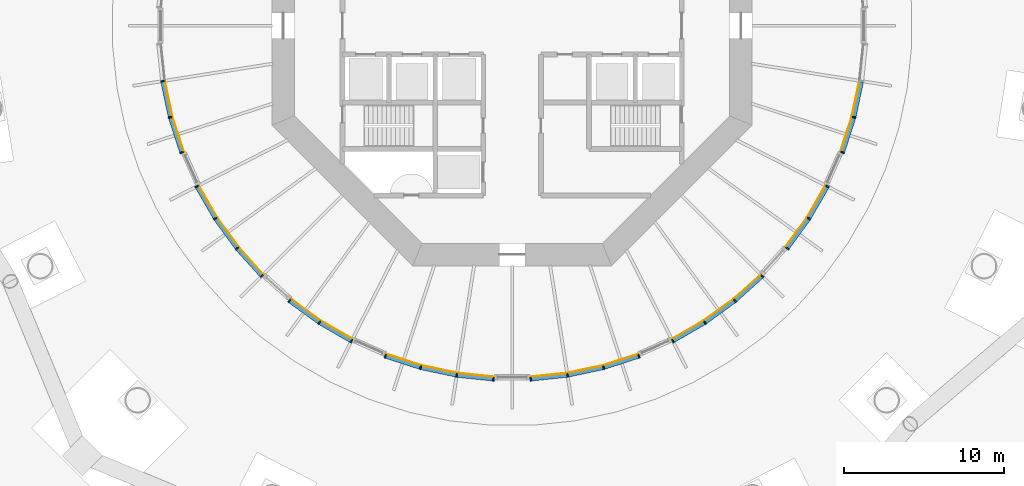
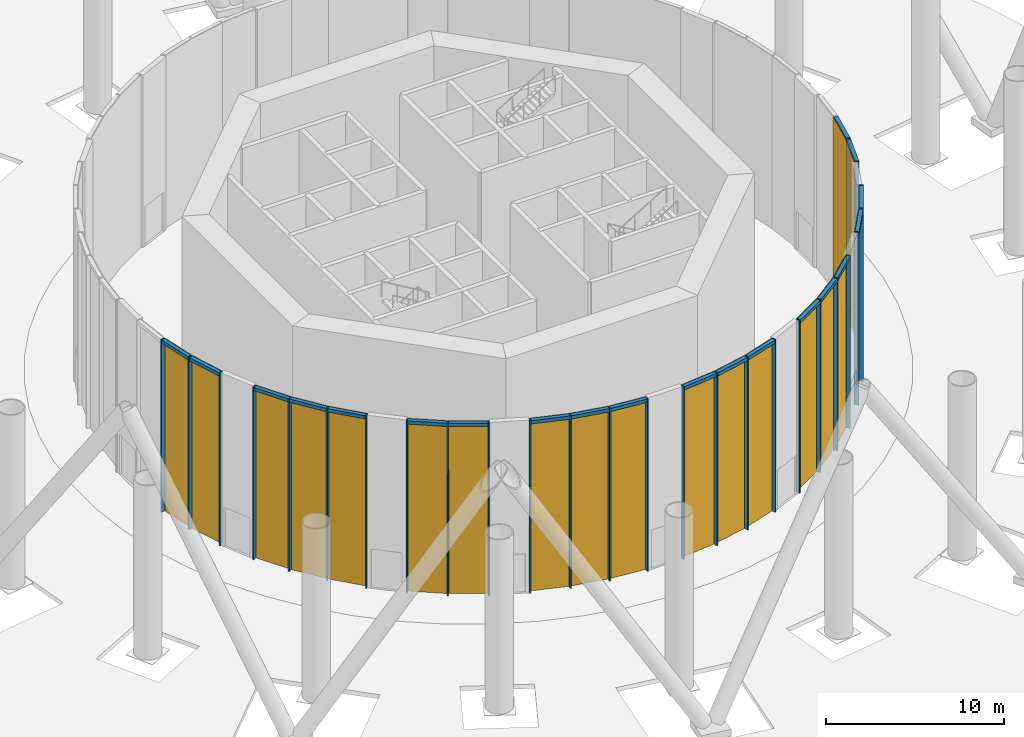
# One storey, part 8 of 12: 47 members, 10 curtain walls.
"""IFC4 building model written with IfcOpenShell, lengths in metres."""

import ifcopenshell
import ifcopenshell.guid

model = None  # the IFC model being written
_history = None  # IfcOwnerHistory: only IFC2X3 demands one
_inside = {}  # id of a spatial element -> (the spatial element, [elements in it])
_under = {}  # id of a project, library or spatial element -> (it, [spatial elements below it])
_declared = {}  # id of a project -> (the project, [libraries it declares])
_typed = {}  # id of a type object -> (the type object, [elements of that type])
_made_of = {}  # id of a material, layer set ... -> (it, [elements and type objects made of it])


def new_model(schema):
    """Start an empty IFC model of exactly this schema.

    Asked for "IFC4X3", IfcOpenShell would pick the latest addendum, in which some entities
    have other attributes; the version numbers below select the first issue.
    IFC2X3 requires an IfcOwnerHistory on every rooted entity: one is made here for all.
    """
    global model, _history
    if schema == "IFC4X3":
        model = ifcopenshell.file(schema_version=(4, 3, 0, 0))
    else:
        model = ifcopenshell.file(schema=schema)
    _inside.clear()
    _under.clear()
    _declared.clear()
    _typed.clear()
    _made_of.clear()
    _history = None
    if model.schema == "IFC2X3":
        org = make("IfcOrganization", Name="unknown")
        user = make(
            "IfcPersonAndOrganization",
            ThePerson=make("IfcPerson", FamilyName="unknown"),
            TheOrganization=org,
        )
        app = make(
            "IfcApplication",
            ApplicationDeveloper=org,
            Version="unknown",
            ApplicationFullName="unknown",
            ApplicationIdentifier="unknown",
        )
        _history = make(
            "IfcOwnerHistory",
            OwningUser=user,
            OwningApplication=app,
            ChangeAction="ADDED",
            CreationDate=0,
        )
    return model


def make(cls, **values):
    """One entity of the class cls with the attributes given. An attribute that is None is left unset."""
    return model.create_entity(
        cls, **{name: value for name, value in values.items() if value is not None}
    )


def rooted(cls, **values):
    """An entity with a GlobalId (a new one), such as an element, a storey or a relation."""
    return make(cls, GlobalId=ifcopenshell.guid.new(), OwnerHistory=_history, **values)


def si_unit(unit_type, name, prefix=None):
    """IfcSIUnit, for example si_unit("LENGTHUNIT", "METRE", prefix="MILLI")."""
    return make("IfcSIUnit", UnitType=unit_type, Prefix=prefix, Name=name)


def assignment(units):
    """IfcUnitAssignment: the units of a project."""
    return None if units is None else make("IfcUnitAssignment", Units=units)


def point(xyz):
    """IfcCartesianPoint."""
    return None if xyz is None else make("IfcCartesianPoint", Coordinates=xyz)


def direction(xyz):
    """IfcDirection."""
    return None if xyz is None else make("IfcDirection", DirectionRatios=xyz)


def frame(location, z_axis=None, x_axis=None):
    """IfcAxis2Placement3D, a coordinate frame: its origin and axes. An axis left out is left unset."""
    return make(
        "IfcAxis2Placement3D",
        Location=point(location),
        Axis=direction(z_axis),
        RefDirection=direction(x_axis),
    )


def frame_2d(location, x_axis=None):
    """IfcAxis2Placement2D, a coordinate frame in the plane: its origin and x axis."""
    return make(
        "IfcAxis2Placement2D", Location=point(location), RefDirection=direction(x_axis)
    )


def origin():
    """The frame at (0, 0, 0) with its axes left unset."""
    return frame((0.0, 0.0, 0.0))


def origin_2d():
    """The frame at (0, 0) in the plane with its x axis left unset."""
    return frame_2d((0.0, 0.0))


def place(relative_to, where):
    """IfcLocalPlacement: puts the frame where relative to a parent placement (None: the world)."""
    return make(
        "IfcLocalPlacement", PlacementRelTo=relative_to, RelativePlacement=where
    )


def context(
    kind, dimensions, precision=None, world=None, true_north=None, identifier=None
):
    """IfcGeometricRepresentationContext, for example the 3D "Model" context."""
    return make(
        "IfcGeometricRepresentationContext",
        ContextIdentifier=identifier,
        ContextType=kind,
        CoordinateSpaceDimension=dimensions,
        Precision=precision,
        WorldCoordinateSystem=world,
        TrueNorth=true_north,
    )


def subcontext(parent, identifier, kind, view, scale=None):
    """IfcGeometricRepresentationSubContext, for example "Body" below "Model"."""
    return make(
        "IfcGeometricRepresentationSubContext",
        ContextIdentifier=identifier,
        ContextType=kind,
        ParentContext=parent,
        TargetScale=scale,
        TargetView=view,
    )


def project(units=None, contexts=None):
    """IfcProject with its units and contexts."""
    return rooted(
        "IfcProject",
        Name="project",
        RepresentationContexts=contexts,
        UnitsInContext=assignment(units),
    )


def spatial(cls, under=None, at=None, **own):
    """A site, building, storey or space (cls), placed at a placement, below another one or the project."""
    s = rooted(cls, ObjectPlacement=at, **own)
    if under is not None:
        _under.setdefault(under.id(), (under, []))[1].append(s)
    return s


def polyline(points):
    """IfcPolyline through the points."""
    return make("IfcPolyline", Points=[point(p) for p in points])


def profile(cls, at=None, kind="AREA", **sizes):
    """A parametric profile (cls). Its sizes go by their IFC names, for example OverallWidth=200.0."""
    return make(cls, ProfileType=kind, Position=at, **sizes)


def rectangle(**sizes):
    """IfcRectangleProfileDef."""
    return profile("IfcRectangleProfileDef", **sizes)


def outline(outer, holes=None, kind="AREA"):
    """IfcArbitraryClosedProfileDef: a profile drawn as a closed curve; with holes, ...WithVoids."""
    if holes is None:
        return make("IfcArbitraryClosedProfileDef", ProfileType=kind, OuterCurve=outer)
    return make(
        "IfcArbitraryProfileDefWithVoids",
        ProfileType=kind,
        OuterCurve=outer,
        InnerCurves=holes,
    )


def extrude(swept, where, along, depth):
    """IfcExtrudedAreaSolid: the profile swept, set in the frame where, extruded along a direction by depth."""
    return make(
        "IfcExtrudedAreaSolid",
        SweptArea=swept,
        Position=where,
        ExtrudedDirection=direction(along),
        Depth=depth,
    )


def shape(context_of_items, identifier, shape_type, items):
    """IfcShapeRepresentation: the items that make up one representation, for example the "Body"."""
    return make(
        "IfcShapeRepresentation",
        ContextOfItems=context_of_items,
        RepresentationIdentifier=identifier,
        RepresentationType=shape_type,
        Items=items,
    )


def material(Name=None, Category=None):
    """IfcMaterial."""
    return make("IfcMaterial", Name=Name, Category=Category)


def layer(
    of_material, thickness, ventilated=None, Name=None, Category=None, Priority=None
):
    """IfcMaterialLayer: one layer of a wall or slab, of a material (None: an air gap)."""
    return make(
        "IfcMaterialLayer",
        Material=of_material,
        LayerThickness=thickness,
        IsVentilated=ventilated,
        Name=Name,
        Category=Category,
        Priority=Priority,
    )


def layer_set(layers, Name=None):
    """IfcMaterialLayerSet."""
    return make("IfcMaterialLayerSet", MaterialLayers=layers, LayerSetName=Name)


def material_profile(
    of_material, cross_section, Name=None, Category=None, Priority=None
):
    """IfcMaterialProfile: a cross section and its material."""
    return make(
        "IfcMaterialProfile",
        Name=Name,
        Material=of_material,
        Profile=cross_section,
        Priority=Priority,
        Category=Category,
    )


def profile_set(profiles, Name=None, composite=None):
    """IfcMaterialProfileSet."""
    return make(
        "IfcMaterialProfileSet",
        Name=Name,
        MaterialProfiles=profiles,
        CompositeProfile=composite,
    )


def made_of(thing, what):
    """Note that an element or type object is made of a material, layer set ...; save() writes the relation."""
    if what is not None:
        _made_of.setdefault(what.id(), (what, []))[1].append(thing)
    return thing


def type_object(cls, material=None, **own):
    """A type object (cls), such as IfcWallType, which elements share."""
    return made_of(rooted(cls, **own), material)


def element(
    cls,
    number,
    at=None,
    inside=None,
    cuts=None,
    type_object=None,
    material=None,
    context=None,
    identifier="Body",
    shape_type=None,
    held_by="IfcProductDefinitionShape",
    body=None,
    shapes=None,
    **own,
):
    """One element of the class cls, such as IfcWall. Its Tag is "e" and its number.

    at: its placement. inside: the storey or other place that contains it. cuts: it is an
    opening in that element (IfcRelVoidsElement). A single representation is given by context,
    identifier, shape_type and body (its items); several are given by shapes. held_by: the class
    of the entity that holds the representations. save() writes the other relations.
    """
    e = rooted(cls, Tag="e%d" % number, ObjectPlacement=at, **own)
    if body is not None:
        shapes = [shape(context, identifier, shape_type, body)]
    if shapes is not None:
        e.Representation = make(held_by, Representations=shapes)
    if inside is not None:
        _inside.setdefault(inside.id(), (inside, []))[1].append(e)
    if cuts is not None:
        rooted(
            "IfcRelVoidsElement", RelatingBuildingElement=cuts, RelatedOpeningElement=e
        )
    if type_object is not None:
        _typed.setdefault(type_object.id(), (type_object, []))[1].append(e)
    return made_of(e, material)


def aggregate(whole, parts):
    """IfcRelAggregates: a whole, such as a stair, and the parts it consists of."""
    return rooted("IfcRelAggregates", RelatingObject=whole, RelatedObjects=parts)


def save(model, path):
    """Write the relations noted so far, then the file.

    IfcRelAggregates (storeys below a building ...), IfcRelContainedInSpatialStructure (elements
    in a storey), IfcRelDefinesByType, IfcRelAssociatesMaterial and IfcRelDeclares: one each for
    every whole, place, type object, material and project.
    """
    for whole, parts in _under.values():
        aggregate(whole, parts)
    for where, things in _inside.values():
        rooted(
            "IfcRelContainedInSpatialStructure",
            RelatedElements=things,
            RelatingStructure=where,
        )
    for kind, things in _typed.values():
        rooted("IfcRelDefinesByType", RelatedObjects=things, RelatingType=kind)
    for what, things in _made_of.values():
        rooted("IfcRelAssociatesMaterial", RelatedObjects=things, RelatingMaterial=what)
    for by, libraries in _declared.values():
        rooted("IfcRelDeclares", RelatingContext=by, RelatedDefinitions=libraries)
    model.write(path)


model = new_model("IFC4")

# Units and contexts
model_context = context("Model", 3, precision=1e-05, world=origin(), true_north=direction((0.0, 1.0)))
body_context = subcontext(model_context, "Body", "Model", "MODEL_VIEW")
ifc_project = project(units=[si_unit("LENGTHUNIT", "METRE"), si_unit("AREAUNIT", "SQUARE_METRE"), si_unit("VOLUMEUNIT", "CUBIC_METRE"), si_unit("PLANEANGLEUNIT", "RADIAN"), si_unit("MASSUNIT", "GRAM", prefix="KILO")], contexts=[model_context])

# Member
ifc_material_1 = material(Name="Anodised aluminium", Category="aluminium")
ifc_material_profile_1 = material_profile(ifc_material_1, rectangle(XDim=0.080078125, YDim=0.239990234375, at=origin_2d()), Name="Mullion 80 x 240 mm anodised aluminium")
ifc_profile_set_1 = profile_set([ifc_material_profile_1], Name="Anodised aluminium")
member_type_1 = type_object("IfcMemberType", Name="Mullion 80 x 240 mm anodised aluminium", PredefinedType="MULLION", material=ifc_profile_set_1)
site_placement = place(None, origin())
building_placement = place(site_placement, origin())
storey_placement = place(building_placement, origin())
member_1_placement = place(storey_placement, frame((68.15234375, 76.53955078125, 0.0), z_axis=(0.0, 0.0, 1.0), x_axis=(0.15643446504, -0.987688340595, 0.0)))
member_1 = element("IfcMember", 1, at=member_1_placement, type_object=member_type_1, Name="MULLION L00-30", PredefinedType="MULLION", context=body_context, shape_type="SweptSolid", body=[
    extrude(rectangle(XDim=0.080078125, YDim=0.239990234375, at=origin_2d()), origin(), (0.0, 0.0, 1.0), 11.85009765625),
])

member_2_placement = place(storey_placement, frame((68.6337890625, 74.27490234375, 0.0), z_axis=(0.0, 0.0, 1.0), x_axis=(0.258819045103, -0.965925826289, 0.0)))
member_2 = element("IfcMember", 2, at=member_2_placement, type_object=member_type_1, Name="MULLION L00-31", PredefinedType="MULLION", context=body_context, shape_type="SweptSolid", body=[
    extrude(rectangle(XDim=0.080078125, YDim=0.239990234375, at=origin_2d()), origin(), (0.0, 0.0, 1.0), 11.85009765625),
])

member_3_placement = place(storey_placement, frame((69.34912109375, 72.072998046875, 0.0), z_axis=(0.0, 0.0, 1.0), x_axis=(0.358367949545, -0.933580426497, 0.0)))
member_3 = element("IfcMember", 3, at=member_3_placement, type_object=member_type_1, Name="MULLION L00-32", PredefinedType="MULLION", context=body_context, shape_type="SweptSolid", body=[
    extrude(rectangle(XDim=0.080078125, YDim=0.239990234375, at=origin_2d()), origin(), (0.0, 0.0, 1.0), 11.85009765625),
])

member_4_placement = place(storey_placement, frame((70.291015625, 69.957763671875, 0.0), z_axis=(0.0, 0.0, 1.0), x_axis=(0.45399049974, -0.891006524188, 0.0)))
member_4 = element("IfcMember", 4, at=member_4_placement, type_object=member_type_1, Name="MULLION L00-33", PredefinedType="MULLION", context=body_context, shape_type="SweptSolid", body=[
    extrude(rectangle(XDim=0.080078125, YDim=0.239990234375, at=origin_2d()), origin(), (0.0, 0.0, 1.0), 11.85009765625),
])

member_5_placement = place(storey_placement, frame((71.448486328125, 67.95263671875, 0.0), z_axis=(0.0, 0.0, 1.0), x_axis=(0.544639035015, -0.838670567945, 0.0)))
member_5 = element("IfcMember", 5, at=member_5_placement, type_object=member_type_1, Name="MULLION L00-34", PredefinedType="MULLION", context=body_context, shape_type="SweptSolid", body=[
    extrude(rectangle(XDim=0.080078125, YDim=0.239990234375, at=origin_2d()), origin(), (0.0, 0.0, 1.0), 11.85009765625),
])

member_6_placement = place(storey_placement, frame((72.8095703125, 66.079345703125, 0.0), z_axis=(0.0, 0.0, 1.0), x_axis=(0.62932039105, -0.777145961457, 0.0)))
member_6 = element("IfcMember", 6, at=member_6_placement, type_object=member_type_1, Name="MULLION L00-35", PredefinedType="MULLION", context=body_context, shape_type="SweptSolid", body=[
    extrude(rectangle(XDim=0.080078125, YDim=0.239990234375, at=origin_2d()), origin(), (0.0, 0.0, 1.0), 11.85009765625),
])

member_7_placement = place(storey_placement, frame((74.35888671875, 64.35888671875, 0.0), z_axis=(0.0, 0.0, 1.0), x_axis=(0.707106781187, -0.707106781187, 0.0)))
member_7 = element("IfcMember", 7, at=member_7_placement, type_object=member_type_1, Name="MULLION L00-36", PredefinedType="MULLION", context=body_context, shape_type="SweptSolid", body=[
    extrude(rectangle(XDim=0.080078125, YDim=0.239990234375, at=origin_2d()), origin(), (0.0, 0.0, 1.0), 11.85009765625),
])

member_8_placement = place(storey_placement, frame((76.079345703125, 62.8095703125, 0.0), z_axis=(0.0, 0.0, 1.0), x_axis=(0.777145961457, -0.62932039105, 0.0)))
member_8 = element("IfcMember", 8, at=member_8_placement, type_object=member_type_1, Name="MULLION L00-37", PredefinedType="MULLION", context=body_context, shape_type="SweptSolid", body=[
    extrude(rectangle(XDim=0.080078125, YDim=0.239990234375, at=origin_2d()), origin(), (0.0, 0.0, 1.0), 11.85009765625),
])

member_9_placement = place(storey_placement, frame((77.95263671875, 61.448486328125, 0.0), z_axis=(0.0, 0.0, 1.0), x_axis=(0.838670567945, -0.544639035015, 0.0)))
member_9 = element("IfcMember", 9, at=member_9_placement, type_object=member_type_1, Name="MULLION L00-38", PredefinedType="MULLION", context=body_context, shape_type="SweptSolid", body=[
    extrude(rectangle(XDim=0.080078125, YDim=0.239990234375, at=origin_2d()), origin(), (0.0, 0.0, 1.0), 11.85009765625),
])

member_10_placement = place(storey_placement, frame((79.957763671875, 60.291015625, 0.0), z_axis=(0.0, 0.0, 1.0), x_axis=(0.891006524188, -0.45399049974, 0.0)))
member_10 = element("IfcMember", 10, at=member_10_placement, type_object=member_type_1, Name="MULLION L00-39", PredefinedType="MULLION", context=body_context, shape_type="SweptSolid", body=[
    extrude(rectangle(XDim=0.080078125, YDim=0.239990234375, at=origin_2d()), origin(), (0.0, 0.0, 1.0), 11.85009765625),
])

member_11_placement = place(storey_placement, frame((82.072998046875, 59.34912109375, 0.0), z_axis=(0.0, 0.0, 1.0), x_axis=(0.933580426497, -0.358367949545, 0.0)))
member_11 = element("IfcMember", 11, at=member_11_placement, type_object=member_type_1, Name="MULLION L00-40", PredefinedType="MULLION", context=body_context, shape_type="SweptSolid", body=[
    extrude(rectangle(XDim=0.080078125, YDim=0.239990234375, at=origin_2d()), origin(), (0.0, 0.0, 1.0), 11.85009765625),
])

member_12_placement = place(storey_placement, frame((84.27490234375, 58.6337890625, 0.0), z_axis=(0.0, 0.0, 1.0), x_axis=(0.965925826289, -0.258819045103, 0.0)))
member_12 = element("IfcMember", 12, at=member_12_placement, type_object=member_type_1, Name="MULLION L00-41", PredefinedType="MULLION", context=body_context, shape_type="SweptSolid", body=[
    extrude(rectangle(XDim=0.080078125, YDim=0.239990234375, at=origin_2d()), origin(), (0.0, 0.0, 1.0), 11.85009765625),
])

member_13_placement = place(storey_placement, frame((86.53955078125, 58.15234375, 0.0), z_axis=(0.0, 0.0, 1.0), x_axis=(0.987688340595, -0.15643446504, 0.0)))
member_13 = element("IfcMember", 13, at=member_13_placement, type_object=member_type_1, Name="MULLION L00-42", PredefinedType="MULLION", context=body_context, shape_type="SweptSolid", body=[
    extrude(rectangle(XDim=0.080078125, YDim=0.239990234375, at=origin_2d()), origin(), (0.0, 0.0, 1.0), 11.85009765625),
])

member_14_placement = place(storey_placement, frame((88.84228515625, 57.910400390625, 0.0), z_axis=(0.0, 0.0, 1.0), x_axis=(0.998629534755, -0.052335956243, 0.0)))
member_14 = element("IfcMember", 14, at=member_14_placement, type_object=member_type_1, Name="MULLION L00-43", PredefinedType="MULLION", context=body_context, shape_type="SweptSolid", body=[
    extrude(rectangle(XDim=0.080078125, YDim=0.239990234375, at=origin_2d()), origin(), (0.0, 0.0, 1.0), 11.85009765625),
])

member_15_placement = place(storey_placement, frame((91.15771484375, 57.910400390625, 0.0), z_axis=(0.0, 0.0, 1.0), x_axis=(0.998629534755, 0.052335956243, 0.0)))
member_15 = element("IfcMember", 15, at=member_15_placement, type_object=member_type_1, Name="MULLION L00-44", PredefinedType="MULLION", context=body_context, shape_type="SweptSolid", body=[
    extrude(rectangle(XDim=0.080078125, YDim=0.239990234375, at=origin_2d()), origin(), (0.0, 0.0, 1.0), 11.85009765625),
])

member_16_placement = place(storey_placement, frame((93.46044921875, 58.15234375, 0.0), z_axis=(0.0, 0.0, 1.0), x_axis=(0.987688340595, 0.15643446504, 0.0)))
member_16 = element("IfcMember", 16, at=member_16_placement, type_object=member_type_1, Name="MULLION L00-45", PredefinedType="MULLION", context=body_context, shape_type="SweptSolid", body=[
    extrude(rectangle(XDim=0.080078125, YDim=0.239990234375, at=origin_2d()), origin(), (0.0, 0.0, 1.0), 11.85009765625),
])

member_17_placement = place(storey_placement, frame((95.72509765625, 58.6337890625, 0.0), z_axis=(0.0, 0.0, 1.0), x_axis=(0.965925826289, 0.258819045103, 0.0)))
member_17 = element("IfcMember", 17, at=member_17_placement, type_object=member_type_1, Name="MULLION L00-46", PredefinedType="MULLION", context=body_context, shape_type="SweptSolid", body=[
    extrude(rectangle(XDim=0.080078125, YDim=0.239990234375, at=origin_2d()), origin(), (0.0, 0.0, 1.0), 11.85009765625),
])

member_18_placement = place(storey_placement, frame((97.927001953125, 59.34912109375, 0.0), z_axis=(0.0, 0.0, 1.0), x_axis=(0.933580426497, 0.358367949545, 0.0)))
member_18 = element("IfcMember", 18, at=member_18_placement, type_object=member_type_1, Name="MULLION L00-47", PredefinedType="MULLION", context=body_context, shape_type="SweptSolid", body=[
    extrude(rectangle(XDim=0.080078125, YDim=0.239990234375, at=origin_2d()), origin(), (0.0, 0.0, 1.0), 11.85009765625),
])

member_19_placement = place(storey_placement, frame((100.042236328125, 60.291015625, 0.0), z_axis=(0.0, 0.0, 1.0), x_axis=(0.891006524188, 0.45399049974, 0.0)))
member_19 = element("IfcMember", 19, at=member_19_placement, type_object=member_type_1, Name="MULLION L00-48", PredefinedType="MULLION", context=body_context, shape_type="SweptSolid", body=[
    extrude(rectangle(XDim=0.080078125, YDim=0.239990234375, at=origin_2d()), origin(), (0.0, 0.0, 1.0), 11.85009765625),
])

member_20_placement = place(storey_placement, frame((102.04736328125, 61.448486328125, 0.0), z_axis=(0.0, 0.0, 1.0), x_axis=(0.838670567945, 0.544639035015, 0.0)))
member_20 = element("IfcMember", 20, at=member_20_placement, type_object=member_type_1, Name="MULLION L00-49", PredefinedType="MULLION", context=body_context, shape_type="SweptSolid", body=[
    extrude(rectangle(XDim=0.080078125, YDim=0.239990234375, at=origin_2d()), origin(), (0.0, 0.0, 1.0), 11.85009765625),
])

member_21_placement = place(storey_placement, frame((103.920654296875, 62.8095703125, 0.0), z_axis=(0.0, 0.0, 1.0), x_axis=(0.777145961457, 0.62932039105, 0.0)))
member_21 = element("IfcMember", 21, at=member_21_placement, type_object=member_type_1, Name="MULLION L00-50", PredefinedType="MULLION", context=body_context, shape_type="SweptSolid", body=[
    extrude(rectangle(XDim=0.080078125, YDim=0.239990234375, at=origin_2d()), origin(), (0.0, 0.0, 1.0), 11.85009765625),
])

member_22_placement = place(storey_placement, frame((105.64111328125, 64.35888671875, 0.0), z_axis=(0.0, 0.0, 1.0), x_axis=(0.707106781187, 0.707106781187, 0.0)))
member_22 = element("IfcMember", 22, at=member_22_placement, type_object=member_type_1, Name="MULLION L00-51", PredefinedType="MULLION", context=body_context, shape_type="SweptSolid", body=[
    extrude(rectangle(XDim=0.080078125, YDim=0.239990234375, at=origin_2d()), origin(), (0.0, 0.0, 1.0), 11.85009765625),
])

member_23_placement = place(storey_placement, frame((107.1904296875, 66.079345703125, 0.0), z_axis=(0.0, 0.0, 1.0), x_axis=(0.62932039105, 0.777145961457, 0.0)))
member_23 = element("IfcMember", 23, at=member_23_placement, type_object=member_type_1, Name="MULLION L00-52", PredefinedType="MULLION", context=body_context, shape_type="SweptSolid", body=[
    extrude(rectangle(XDim=0.080078125, YDim=0.239990234375, at=origin_2d()), origin(), (0.0, 0.0, 1.0), 11.85009765625),
])

member_24_placement = place(storey_placement, frame((108.551513671875, 67.95263671875, 0.0), z_axis=(0.0, 0.0, 1.0), x_axis=(0.544639035015, 0.838670567945, 0.0)))
member_24 = element("IfcMember", 24, at=member_24_placement, type_object=member_type_1, Name="MULLION L00-53", PredefinedType="MULLION", context=body_context, shape_type="SweptSolid", body=[
    extrude(rectangle(XDim=0.080078125, YDim=0.239990234375, at=origin_2d()), origin(), (0.0, 0.0, 1.0), 11.85009765625),
])

member_25_placement = place(storey_placement, frame((109.708984375, 69.957763671875, 0.0), z_axis=(0.0, 0.0, 1.0), x_axis=(0.45399049974, 0.891006524188, 0.0)))
member_25 = element("IfcMember", 25, at=member_25_placement, type_object=member_type_1, Name="MULLION L00-54", PredefinedType="MULLION", context=body_context, shape_type="SweptSolid", body=[
    extrude(rectangle(XDim=0.080078125, YDim=0.239990234375, at=origin_2d()), origin(), (0.0, 0.0, 1.0), 11.85009765625),
])

member_26_placement = place(storey_placement, frame((110.65087890625, 72.072998046875, 0.0), z_axis=(0.0, 0.0, 1.0), x_axis=(0.358367949545, 0.933580426497, 0.0)))
member_26 = element("IfcMember", 26, at=member_26_placement, type_object=member_type_1, Name="MULLION L00-55", PredefinedType="MULLION", context=body_context, shape_type="SweptSolid", body=[
    extrude(rectangle(XDim=0.080078125, YDim=0.239990234375, at=origin_2d()), origin(), (0.0, 0.0, 1.0), 11.85009765625),
])

member_27_placement = place(storey_placement, frame((111.3662109375, 74.27490234375, 0.0), z_axis=(0.0, 0.0, 1.0), x_axis=(0.258819045103, 0.965925826289, 0.0)))
member_27 = element("IfcMember", 27, at=member_27_placement, type_object=member_type_1, Name="MULLION L00-56", PredefinedType="MULLION", context=body_context, shape_type="SweptSolid", body=[
    extrude(rectangle(XDim=0.080078125, YDim=0.239990234375, at=origin_2d()), origin(), (0.0, 0.0, 1.0), 11.85009765625),
])

ifc_material_2 = material(Name="Anodised aluminium", Category="aluminium")
ifc_material_profile_2 = material_profile(ifc_material_2, rectangle(XDim=0.239990234375, YDim=0.219970703125, at=origin_2d()), Name="Transom 220 x 240 mm anodised aluminium")
ifc_profile_set_2 = profile_set([ifc_material_profile_2], Name="Anodised aluminium")
member_type_2 = type_object("IfcMemberType", Name="Transom 220 x 240 mm anodised aluminium", PredefinedType="USERDEFINED", material=ifc_profile_set_2)
member_28_placement = place(storey_placement, frame((68.161865234375, 76.494384765625, 11.739990234375), z_axis=(0.207908670929, -0.978148242626, 0.0), x_axis=(0.978148242626, 0.207908670929, 0.0)))
member_28 = element("IfcMember", 28, at=member_28_placement, type_object=member_type_2, Name="TRANSOM L00-30", ObjectType="TRANSOM", PredefinedType="USERDEFINED", context=body_context, shape_type="SweptSolid", body=[
    extrude(rectangle(XDim=0.239990234375, YDim=0.219970703125, at=origin_2d()), origin(), (0.0, 0.0, 1.0), 2.222900390625),
])

member_29_placement = place(storey_placement, frame((68.64794921875, 74.23095703125, 11.739990234375), z_axis=(0.308969341841, -0.951071998222, 0.0), x_axis=(0.951071998222, 0.308969341841, 0.0)))
member_29 = element("IfcMember", 29, at=member_29_placement, type_object=member_type_2, Name="TRANSOM L00-31", ObjectType="TRANSOM", PredefinedType="USERDEFINED", context=body_context, shape_type="SweptSolid", body=[
    extrude(rectangle(XDim=0.239990234375, YDim=0.219970703125, at=origin_2d()), origin(), (0.0, 0.0, 1.0), 2.22265625),
])

member_30_placement = place(storey_placement, frame((70.31396484375, 69.91748046875, 11.739990234375), z_axis=(0.500014044516, -0.866017295027, 0.0), x_axis=(0.866017295027, 0.500014044516, 0.0)))
member_30 = element("IfcMember", 30, at=member_30_placement, type_object=member_type_2, Name="TRANSOM L00-33", ObjectType="TRANSOM", PredefinedType="USERDEFINED", context=body_context, shape_type="SweptSolid", body=[
    extrude(rectangle(XDim=0.239990234375, YDim=0.219970703125, at=origin_2d()), origin(), (0.0, 0.0, 1.0), 2.22265625),
])

member_31_placement = place(storey_placement, frame((71.4755859375, 67.9150390625, 11.739990234375), z_axis=(0.587805935954, -0.809001966412, 0.0), x_axis=(0.809001966412, 0.587805935954, 0.0)))
member_31 = element("IfcMember", 31, at=member_31_placement, type_object=member_type_2, Name="TRANSOM L00-34", ObjectType="TRANSOM", PredefinedType="USERDEFINED", context=body_context, shape_type="SweptSolid", body=[
    extrude(rectangle(XDim=0.239990234375, YDim=0.219970703125, at=origin_2d()), origin(), (0.0, 0.0, 1.0), 2.222900390625),
])

member_32_placement = place(storey_placement, frame((72.84033203125, 66.044921875, 11.739990234375), z_axis=(0.669122492394, -0.743152131244, 0.0), x_axis=(0.743152131244, 0.669122492394, 0.0)))
member_32 = element("IfcMember", 32, at=member_32_placement, type_object=member_type_2, Name="TRANSOM L00-35", ObjectType="TRANSOM", PredefinedType="USERDEFINED", context=body_context, shape_type="SweptSolid", body=[
    extrude(rectangle(XDim=0.239990234375, YDim=0.219970703125, at=origin_2d()), origin(), (0.0, 0.0, 1.0), 2.22265625),
])

member_33_placement = place(storey_placement, frame((76.11669921875, 62.7822265625, 11.739990234375), z_axis=(0.809001966412, -0.587805935954, 0.0), x_axis=(0.587805935954, 0.809001966412, 0.0)))
member_33 = element("IfcMember", 33, at=member_33_placement, type_object=member_type_2, Name="TRANSOM L00-37", ObjectType="TRANSOM", PredefinedType="USERDEFINED", context=body_context, shape_type="SweptSolid", body=[
    extrude(rectangle(XDim=0.239990234375, YDim=0.219970703125, at=origin_2d()), origin(), (0.0, 0.0, 1.0), 2.222900390625),
])

member_34_placement = place(storey_placement, frame((77.99267578125, 61.42529296875, 11.739990234375), z_axis=(0.866017295027, -0.500014044516, 0.0), x_axis=(0.500014044516, 0.866017295027, 0.0)))
member_34 = element("IfcMember", 34, at=member_34_placement, type_object=member_type_2, Name="TRANSOM L00-38", ObjectType="TRANSOM", PredefinedType="USERDEFINED", context=body_context, shape_type="SweptSolid", body=[
    extrude(rectangle(XDim=0.239990234375, YDim=0.219970703125, at=origin_2d()), origin(), (0.0, 0.0, 1.0), 2.22265625),
])

member_35_placement = place(storey_placement, frame((82.116943359375, 59.334716796875, 11.739990234375), z_axis=(0.951071998222, -0.308969341841, 0.0), x_axis=(0.308969341841, 0.951071998222, 0.0)))
member_35 = element("IfcMember", 35, at=member_35_placement, type_object=member_type_2, Name="TRANSOM L00-40", ObjectType="TRANSOM", PredefinedType="USERDEFINED", context=body_context, shape_type="SweptSolid", body=[
    extrude(rectangle(XDim=0.239990234375, YDim=0.219970703125, at=origin_2d()), origin(), (0.0, 0.0, 1.0), 2.22265625),
])

member_36_placement = place(storey_placement, frame((84.320068359375, 58.6240234375, 11.739990234375), z_axis=(0.978148242626, -0.207908670929, 0.0), x_axis=(0.207908670929, 0.978148242626, 0.0)))
member_36 = element("IfcMember", 36, at=member_36_placement, type_object=member_type_2, Name="TRANSOM L00-41", ObjectType="TRANSOM", PredefinedType="USERDEFINED", context=body_context, shape_type="SweptSolid", body=[
    extrude(rectangle(XDim=0.239990234375, YDim=0.219970703125, at=origin_2d()), origin(), (0.0, 0.0, 1.0), 2.222900390625),
])

member_37_placement = place(storey_placement, frame((86.585693359375, 58.147216796875, 11.739990234375), z_axis=(0.994530099915, -0.104450372724, 0.0), x_axis=(0.104450372724, 0.994530099915, 0.0)))
member_37 = element("IfcMember", 37, at=member_37_placement, type_object=member_type_2, Name="TRANSOM L00-42", ObjectType="TRANSOM", PredefinedType="USERDEFINED", context=body_context, shape_type="SweptSolid", body=[
    extrude(rectangle(XDim=0.239990234375, YDim=0.219970703125, at=origin_2d()), origin(), (0.0, 0.0, 1.0), 2.222900390625),
])

member_38_placement = place(storey_placement, frame((91.20361328125, 57.9150390625, 11.739990234375), z_axis=(0.994530099915, 0.104450372724, 0.0), x_axis=(-0.104450372724, 0.994530099915, 0.0)))
member_38 = element("IfcMember", 38, at=member_38_placement, type_object=member_type_2, Name="TRANSOM L00-44", ObjectType="TRANSOM", PredefinedType="USERDEFINED", context=body_context, shape_type="SweptSolid", body=[
    extrude(rectangle(XDim=0.239990234375, YDim=0.219970703125, at=origin_2d()), origin(), (0.0, 0.0, 1.0), 2.222900390625),
])

member_39_placement = place(storey_placement, frame((93.505615234375, 58.161865234375, 11.739990234375), z_axis=(0.978148242626, 0.207908670929, 0.0), x_axis=(-0.207908670929, 0.978148242626, 0.0)))
member_39 = element("IfcMember", 39, at=member_39_placement, type_object=member_type_2, Name="TRANSOM L00-45", ObjectType="TRANSOM", PredefinedType="USERDEFINED", context=body_context, shape_type="SweptSolid", body=[
    extrude(rectangle(XDim=0.239990234375, YDim=0.219970703125, at=origin_2d()), origin(), (0.0, 0.0, 1.0), 2.222900390625),
])

member_40_placement = place(storey_placement, frame((95.76904296875, 58.64794921875, 11.739990234375), z_axis=(0.951071998222, 0.308969341841, 0.0), x_axis=(-0.308969341841, 0.951071998222, 0.0)))
member_40 = element("IfcMember", 40, at=member_40_placement, type_object=member_type_2, Name="TRANSOM L00-46", ObjectType="TRANSOM", PredefinedType="USERDEFINED", context=body_context, shape_type="SweptSolid", body=[
    extrude(rectangle(XDim=0.239990234375, YDim=0.219970703125, at=origin_2d()), origin(), (0.0, 0.0, 1.0), 2.22265625),
])

member_41_placement = place(storey_placement, frame((100.08251953125, 60.31396484375, 11.739990234375), z_axis=(0.866017295027, 0.500014044516, 0.0), x_axis=(-0.500014044516, 0.866017295027, 0.0)))
member_41 = element("IfcMember", 41, at=member_41_placement, type_object=member_type_2, Name="TRANSOM L00-48", ObjectType="TRANSOM", PredefinedType="USERDEFINED", context=body_context, shape_type="SweptSolid", body=[
    extrude(rectangle(XDim=0.239990234375, YDim=0.219970703125, at=origin_2d()), origin(), (0.0, 0.0, 1.0), 2.22265625),
])

member_42_placement = place(storey_placement, frame((102.0849609375, 61.4755859375, 11.739990234375), z_axis=(0.809001966412, 0.587805935954, 0.0), x_axis=(-0.587805935954, 0.809001966412, 0.0)))
member_42 = element("IfcMember", 42, at=member_42_placement, type_object=member_type_2, Name="TRANSOM L00-49", ObjectType="TRANSOM", PredefinedType="USERDEFINED", context=body_context, shape_type="SweptSolid", body=[
    extrude(rectangle(XDim=0.239990234375, YDim=0.219970703125, at=origin_2d()), origin(), (0.0, 0.0, 1.0), 2.222900390625),
])

member_43_placement = place(storey_placement, frame((103.955078125, 62.84033203125, 11.739990234375), z_axis=(0.743152131244, 0.669122492394, 0.0), x_axis=(-0.669122492394, 0.743152131244, 0.0)))
member_43 = element("IfcMember", 43, at=member_43_placement, type_object=member_type_2, Name="TRANSOM L00-50", ObjectType="TRANSOM", PredefinedType="USERDEFINED", context=body_context, shape_type="SweptSolid", body=[
    extrude(rectangle(XDim=0.239990234375, YDim=0.219970703125, at=origin_2d()), origin(), (0.0, 0.0, 1.0), 2.22265625),
])

member_44_placement = place(storey_placement, frame((107.2177734375, 66.11669921875, 11.739990234375), z_axis=(0.587805935954, 0.809001966412, 0.0), x_axis=(-0.809001966412, 0.587805935954, 0.0)))
member_44 = element("IfcMember", 44, at=member_44_placement, type_object=member_type_2, Name="TRANSOM L00-52", ObjectType="TRANSOM", PredefinedType="USERDEFINED", context=body_context, shape_type="SweptSolid", body=[
    extrude(rectangle(XDim=0.239990234375, YDim=0.219970703125, at=origin_2d()), origin(), (0.0, 0.0, 1.0), 2.222900390625),
])

member_45_placement = place(storey_placement, frame((108.57470703125, 67.99267578125, 11.739990234375), z_axis=(0.500014044516, 0.866017295027, 0.0), x_axis=(-0.866017295027, 0.500014044516, 0.0)))
member_45 = element("IfcMember", 45, at=member_45_placement, type_object=member_type_2, Name="TRANSOM L00-53", ObjectType="TRANSOM", PredefinedType="USERDEFINED", context=body_context, shape_type="SweptSolid", body=[
    extrude(rectangle(XDim=0.239990234375, YDim=0.219970703125, at=origin_2d()), origin(), (0.0, 0.0, 1.0), 2.22265625),
])

member_46_placement = place(storey_placement, frame((110.665283203125, 72.116943359375, 11.739990234375), z_axis=(0.308969341841, 0.951071998222, 0.0), x_axis=(-0.951071998222, 0.308969341841, 0.0)))
member_46 = element("IfcMember", 46, at=member_46_placement, type_object=member_type_2, Name="TRANSOM L00-55", ObjectType="TRANSOM", PredefinedType="USERDEFINED", context=body_context, shape_type="SweptSolid", body=[
    extrude(rectangle(XDim=0.239990234375, YDim=0.219970703125, at=origin_2d()), origin(), (0.0, 0.0, 1.0), 2.22265625),
])

member_47_placement = place(storey_placement, frame((111.3759765625, 74.320068359375, 11.739990234375), z_axis=(0.207908670929, 0.978148242626, 0.0), x_axis=(-0.978148242626, 0.207908670929, 0.0)))
member_47 = element("IfcMember", 47, at=member_47_placement, type_object=member_type_2, Name="TRANSOM L00-56", ObjectType="TRANSOM", PredefinedType="USERDEFINED", context=body_context, shape_type="SweptSolid", body=[
    extrude(rectangle(XDim=0.239990234375, YDim=0.219970703125, at=origin_2d()), origin(), (0.0, 0.0, 1.0), 2.222900390625),
])

# Site, building, storey
site = spatial("IfcSite", under=ifc_project, at=site_placement, CompositionType="ELEMENT")
building = spatial("IfcBuilding", under=site, at=building_placement, Name="Entoto Ring Tower", CompositionType="ELEMENT")
storey = spatial("IfcBuildingStorey", under=building, at=storey_placement, Name="L00", CompositionType="ELEMENT", Elevation=0.0)

# Curtain wall
ifc_material_3 = material(Name="Clear low-iron glass", Category="glass")
ifc_layer = layer(ifc_material_3, 0.0439453125)
ifc_layer_set = layer_set([ifc_layer], Name="Clear low-iron glass")
curtain_wall_type = type_object("IfcCurtainWallType", Name="Curtain wall system CW8 glazing 44 mm", PredefinedType="NOTDEFINED", material=ifc_layer_set)
curtain_wall_1_placement = place(storey_placement, origin())
curtain_wall_1 = element("IfcCurtainWall", 48, at=curtain_wall_1_placement, inside=storey, type_object=curtain_wall_type, Name="CW8 L00-11a", PredefinedType="NOTDEFINED", context=body_context, shape_type="SweptSolid", body=[
    extrude(outline(polyline([(68.270751953125, 76.558349609375), (68.74951171875, 74.305908203125), (69.461181640625, 72.115966796875), (69.50244140625, 72.131591796875), (68.792236328125, 74.3173828125), (68.314453125, 76.5654296875), (68.270751953125, 76.558349609375)])), origin(), (0.0, 0.0, 1.0), 11.85009765625),
])

aggregate(curtain_wall_1, [member_1, member_2, member_3, member_28, member_29])

curtain_wall_2_placement = place(storey_placement, origin())
curtain_wall_2 = element("IfcCurtainWall", 49, at=curtain_wall_2_placement, inside=storey, type_object=curtain_wall_type, Name="CW8 L00-12", PredefinedType="NOTDEFINED", context=body_context, shape_type="SweptSolid", body=[
    extrude(outline(polyline([(70.39794921875, 70.01220703125), (71.54931640625, 68.017822265625), (72.90283203125, 66.155029296875), (74.443603515625, 64.443603515625), (74.474853515625, 64.474853515625), (72.93701171875, 66.1826171875), (71.586181640625, 68.0419921875), (70.43701171875, 70.0322265625), (70.39794921875, 70.01220703125)])), origin(), (0.0, 0.0, 1.0), 11.85009765625),
])

aggregate(curtain_wall_2, [member_4, member_5, member_6, member_7, member_30, member_31, member_32])

curtain_wall_3_placement = place(storey_placement, origin())
curtain_wall_3 = element("IfcCurtainWall", 50, at=curtain_wall_3_placement, inside=storey, type_object=curtain_wall_type, Name="CW8 L00-13a", PredefinedType="NOTDEFINED", context=body_context, shape_type="SweptSolid", body=[
    extrude(outline(polyline([(76.155029296875, 62.90283203125), (78.017822265625, 61.54931640625), (80.01220703125, 60.39794921875), (80.0322265625, 60.43701171875), (78.0419921875, 61.586181640625), (76.1826171875, 62.93701171875), (76.155029296875, 62.90283203125)])), origin(), (0.0, 0.0, 1.0), 11.85009765625),
])

aggregate(curtain_wall_3, [member_8, member_9, member_10, member_33, member_34])

curtain_wall_4_placement = place(storey_placement, origin())
curtain_wall_4 = element("IfcCurtainWall", 51, at=curtain_wall_4_placement, inside=storey, type_object=curtain_wall_type, Name="CW8 L00-14a", PredefinedType="NOTDEFINED", context=body_context, shape_type="SweptSolid", body=[
    extrude(outline(polyline([(82.115966796875, 59.461181640625), (84.305908203125, 58.74951171875), (86.558349609375, 58.270751953125), (86.5654296875, 58.314453125), (84.3173828125, 58.792236328125), (82.131591796875, 59.50244140625), (82.115966796875, 59.461181640625)])), origin(), (0.0, 0.0, 1.0), 11.85009765625),
])

aggregate(curtain_wall_4, [member_11, member_12, member_35, member_36])

curtain_wall_5_placement = place(storey_placement, origin())
curtain_wall_5 = element("IfcCurtainWall", 52, at=curtain_wall_5_placement, inside=storey, type_object=curtain_wall_type, Name="CW8 L00-15a", PredefinedType="NOTDEFINED", context=body_context, shape_type="SweptSolid", body=[
    extrude(outline(polyline([(86.558349609375, 58.270751953125), (88.8486328125, 58.030029296875), (88.850830078125, 58.07421875), (86.5654296875, 58.314453125), (86.558349609375, 58.270751953125)])), origin(), (0.0, 0.0, 1.0), 11.85009765625),
])

aggregate(curtain_wall_5, [member_13, member_14, member_37])

curtain_wall_6_placement = place(storey_placement, origin())
curtain_wall_6 = element("IfcCurtainWall", 53, at=curtain_wall_6_placement, inside=storey, type_object=curtain_wall_type, Name="CW8 L00-15b", PredefinedType="NOTDEFINED", context=body_context, shape_type="SweptSolid", body=[
    extrude(outline(polyline([(91.1513671875, 58.030029296875), (93.441650390625, 58.270751953125), (93.4345703125, 58.314453125), (91.149169921875, 58.07421875), (91.1513671875, 58.030029296875)])), origin(), (0.0, 0.0, 1.0), 11.85009765625),
])

aggregate(curtain_wall_6, [member_15, member_38])

curtain_wall_7_placement = place(storey_placement, origin())
curtain_wall_7 = element("IfcCurtainWall", 54, at=curtain_wall_7_placement, inside=storey, type_object=curtain_wall_type, Name="CW8 L00-16a", PredefinedType="NOTDEFINED", context=body_context, shape_type="SweptSolid", body=[
    extrude(outline(polyline([(93.441650390625, 58.270751953125), (95.694091796875, 58.74951171875), (97.884033203125, 59.461181640625), (97.868408203125, 59.50244140625), (95.6826171875, 58.792236328125), (93.4345703125, 58.314453125), (93.441650390625, 58.270751953125)])), origin(), (0.0, 0.0, 1.0), 11.85009765625),
])

aggregate(curtain_wall_7, [member_16, member_17, member_18, member_39, member_40])

curtain_wall_8_placement = place(storey_placement, origin())
curtain_wall_8 = element("IfcCurtainWall", 55, at=curtain_wall_8_placement, inside=storey, type_object=curtain_wall_type, Name="CW8 L00-17", PredefinedType="NOTDEFINED", context=body_context, shape_type="SweptSolid", body=[
    extrude(outline(polyline([(99.98779296875, 60.39794921875), (101.982177734375, 61.54931640625), (103.844970703125, 62.90283203125), (105.556396484375, 64.443603515625), (105.525146484375, 64.474853515625), (103.8173828125, 62.93701171875), (101.9580078125, 61.586181640625), (99.9677734375, 60.43701171875), (99.98779296875, 60.39794921875)])), origin(), (0.0, 0.0, 1.0), 11.85009765625),
])

aggregate(curtain_wall_8, [member_19, member_20, member_21, member_22, member_41, member_42, member_43])

curtain_wall_9_placement = place(storey_placement, origin())
curtain_wall_9 = element("IfcCurtainWall", 56, at=curtain_wall_9_placement, inside=storey, type_object=curtain_wall_type, Name="CW8 L00-18a", PredefinedType="NOTDEFINED", context=body_context, shape_type="SweptSolid", body=[
    extrude(outline(polyline([(107.09716796875, 66.155029296875), (108.45068359375, 68.017822265625), (109.60205078125, 70.01220703125), (109.56298828125, 70.0322265625), (108.413818359375, 68.0419921875), (107.06298828125, 66.1826171875), (107.09716796875, 66.155029296875)])), origin(), (0.0, 0.0, 1.0), 11.85009765625),
])

aggregate(curtain_wall_9, [member_23, member_24, member_25, member_44, member_45])

curtain_wall_10_placement = place(storey_placement, origin())
curtain_wall_10 = element("IfcCurtainWall", 57, at=curtain_wall_10_placement, inside=storey, type_object=curtain_wall_type, Name="CW8 L00-19a", PredefinedType="NOTDEFINED", context=body_context, shape_type="SweptSolid", body=[
    extrude(outline(polyline([(110.538818359375, 72.115966796875), (111.25048828125, 74.305908203125), (111.729248046875, 76.558349609375), (111.685546875, 76.5654296875), (111.207763671875, 74.3173828125), (110.49755859375, 72.131591796875), (110.538818359375, 72.115966796875)])), origin(), (0.0, 0.0, 1.0), 11.85009765625),
])

aggregate(curtain_wall_10, [member_26, member_27, member_46, member_47])

save(model, "model.ifc")
